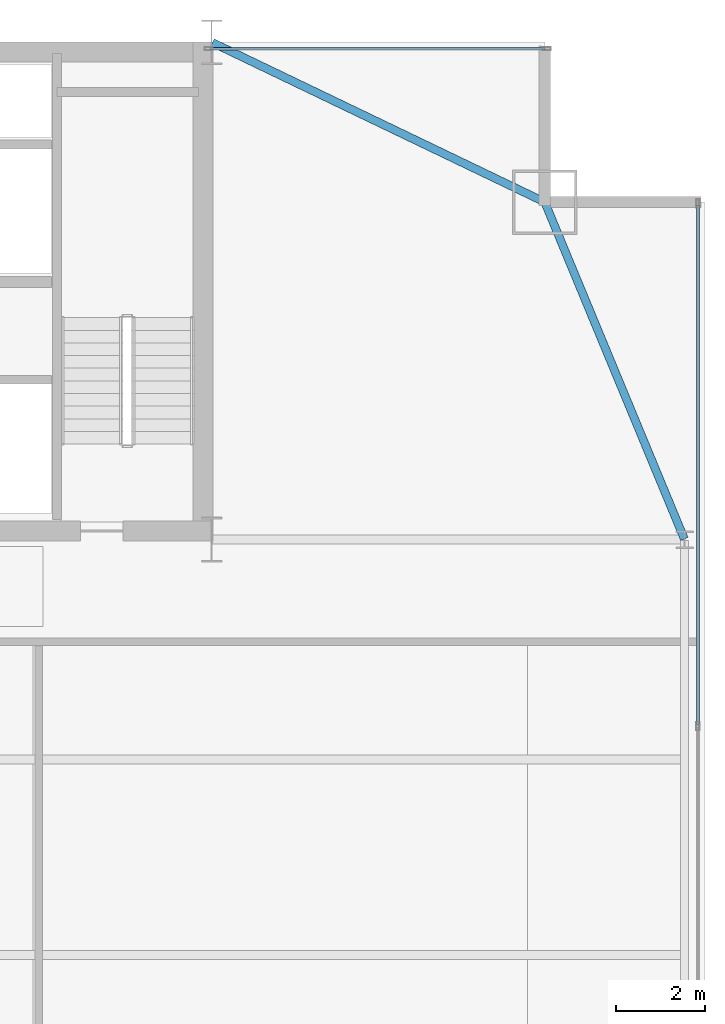
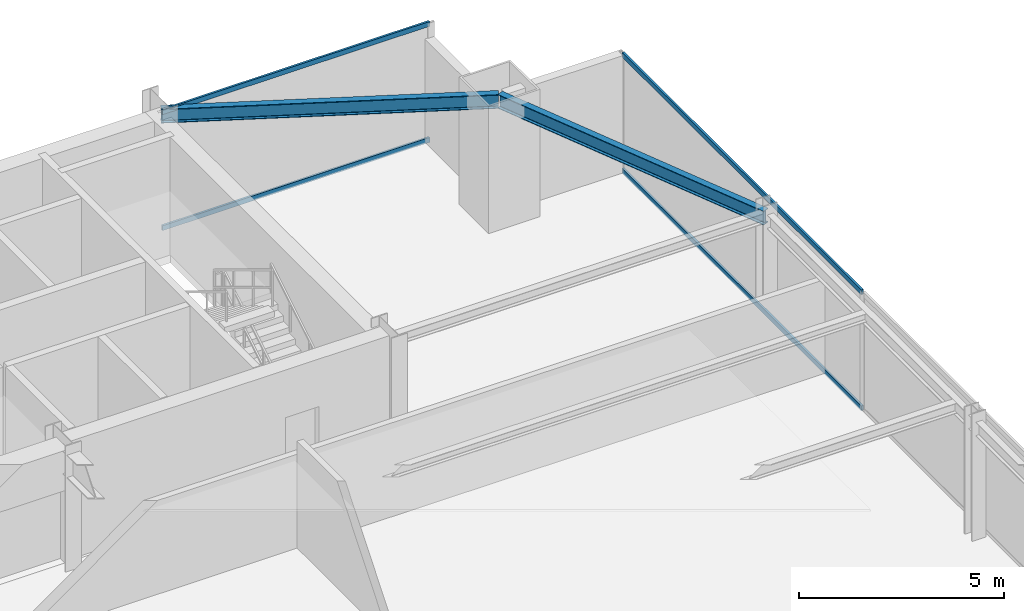
# One storey, part 25 of 31: 4 members, 2 beams, 2 elements without a shape of their own.
"""IFC4 building model written with IfcOpenShell, lengths in metres."""

from ifc_helpers import new_model, si_unit, direction, frame, origin, origin_2d, place, context, subcontext, project, spatial, hollow_rectangle, i_section, extrude, source, transform, mapped, material, layer, layer_set, material_profile, profile_set, type_object, type_shapes, element, aggregate, save


model = new_model("IFC4")

# Units and contexts
model_context = context("Model", 3, precision=1e-05, world=origin(), true_north=direction((0.0, 1.0)))
body_context = subcontext(model_context, "Body", "Model", "MODEL_VIEW")
ifc_project = project(units=[si_unit("LENGTHUNIT", "METRE"), si_unit("AREAUNIT", "SQUARE_METRE"), si_unit("VOLUMEUNIT", "CUBIC_METRE"), si_unit("PLANEANGLEUNIT", "RADIAN"), si_unit("MASSUNIT", "GRAM", prefix="KILO")], contexts=[model_context])

# Site, building, storey
site_placement = place(None, origin())
site = spatial("IfcSite", under=ifc_project, at=site_placement, CompositionType="ELEMENT")
building_placement = place(site_placement, origin())
building = spatial("IfcBuilding", under=site, at=building_placement, Name="Varnel Quay Broadcast Tower", CompositionType="ELEMENT")
storey_placement = place(building_placement, frame((0.0, 0.0, 94.60009765625)))
storey = spatial("IfcBuildingStorey", under=building, at=storey_placement, Name="L22", CompositionType="ELEMENT", Elevation=94.60009765625)

# Beams
ifc_material_1 = material(Name="Structural Steel CSA G40.21 350W", Category="steel")
ifc_material_profile_1 = material_profile(ifc_material_1, i_section(OverallWidth=0.180908203125, OverallDepth=0.4169921875, WebThickness=0.010986328125, FlangeThickness=0.018310546875, FilletRadius=0.011962890625, at=origin_2d()), Name="W410X85")
ifc_profile_set_1 = profile_set([ifc_material_profile_1], Name="Structural Steel CSA G40.21 350W")
beam_type = type_object("IfcBeamType", Name="Beam_W410X85", PredefinedType="SPANDREL", material=ifc_profile_set_1)
shared_shape_1 = source(origin(), body_context, "Body", "SweptSolid", [
    extrude(i_section(OverallWidth=0.180908203125, OverallDepth=0.4169921875, WebThickness=0.010986328125, FlangeThickness=0.018310546875, FilletRadius=0.011962890625, at=origin_2d()), origin(), (0.0, 0.0, 1.0), 8.186767578125),
])
beam_1_placement = place(storey_placement, frame((63.042236328125, 35.618408203125, 3.3115234375), z_axis=(-0.382874132092, 0.923800519038, 0.0), x_axis=(-0.923800519038, -0.382874132092, 0.0)))
element("IfcBeam", 1, at=beam_1_placement, inside=storey, type_object=beam_type, Name="L22 East Spandrel TC-E3-MC-NE", PredefinedType="SPANDREL", context=body_context, shape_type="MappedRepresentation", body=[
    mapped(shared_shape_1, transform((0.0, 0.0, 0.0), x_axis=(1.0, 0.0, 0.0), y_axis=(0.0, 1.0, 0.0), z_axis=(0.0, 0.0, 1.0), scale=1.0)),
])
shared_shape_2 = source(origin(), body_context, "Body", "SweptSolid", [
    extrude(i_section(OverallWidth=0.180908203125, OverallDepth=0.4169921875, WebThickness=0.010986328125, FlangeThickness=0.018310546875, FilletRadius=0.011962890625, at=origin_2d()), origin(), (0.0, 0.0, 1.0), 8.279296875),
])
type_shapes(beam_type, [shared_shape_1, shared_shape_2])
beam_2_placement = place(storey_placement, frame((52.41796875, 46.791259765625, 3.3115234375), z_axis=(0.901535021024, -0.432706142626, 0.0), x_axis=(0.432706142626, 0.901535021024, 0.0)))
element("IfcBeam", 2, at=beam_2_placement, inside=storey, type_object=beam_type, Name="L22 NE Tie Spandrel", PredefinedType="SPANDREL", context=body_context, shape_type="MappedRepresentation", body=[
    mapped(shared_shape_2, transform((0.0, 0.0, 0.0), x_axis=(1.0, 0.0, 0.0), y_axis=(0.0, 1.0, 0.0), z_axis=(0.0, 0.0, 1.0), scale=1.0)),
])

# Curtain wall, members
ifc_material_2 = material(Name="Anodised Bronze Aluminium 6063-T6", Category="aluminium")
ifc_layer = layer(ifc_material_2, 0.18994140625, Name="Anodised Bronze Aluminium 6063-T6")
ifc_layer_set = layer_set([ifc_layer], Name="Anodised Bronze Aluminium 6063-T6")
curtain_wall_type = type_object("IfcCurtainWallType", Name="CW_LowerTower", PredefinedType="NOTDEFINED", material=ifc_layer_set)
curtain_wall_1_placement = place(storey_placement, origin())
curtain_wall_1 = element("IfcCurtainWall", 3, at=curtain_wall_1_placement, inside=storey, type_object=curtain_wall_type, Name="L22 East Unitised Curtain Wall", PredefinedType="NOTDEFINED")
ifc_material_profile_2 = material_profile(ifc_material_2, hollow_rectangle(XDim=0.06005859375, YDim=0.14501953125, WallThickness=0.00341796875, at=origin_2d()), Name="ALU60X145X3.5")
ifc_profile_set_2 = profile_set([ifc_material_profile_2], Name="Anodised Bronze Aluminium 6063-T6")
member_type = type_object("IfcMemberType", Name="Tran_CWS-02", PredefinedType="USERDEFINED", material=ifc_profile_set_2)
shared_shape_3 = source(origin(), body_context, "Body", "SweptSolid", [
    extrude(hollow_rectangle(XDim=0.06005859375, YDim=0.14501953125, WallThickness=0.00341796875, at=origin_2d()), origin(), (0.0, 0.0, 1.0), 11.69482421875),
])
member_1_placement = place(storey_placement, frame((63.35009765625, 31.43505859375, 0.02978515625), z_axis=(0.0, 1.0, 0.0), x_axis=(-1.0, 0.0, 0.0)))
member_1 = element("IfcMember", 4, at=member_1_placement, type_object=member_type, Name="CWS-02 transom 3.1", ObjectType="TRANSOM", PredefinedType="USERDEFINED", context=body_context, shape_type="MappedRepresentation", body=[
    mapped(shared_shape_3, transform((0.0, 0.0, 0.0), x_axis=(1.0, 0.0, 0.0), y_axis=(0.0, 1.0, 0.0), z_axis=(0.0, 0.0, 1.0), scale=1.0)),
])
member_2_placement = place(storey_placement, frame((63.35009765625, 31.43505859375, 3.489990234375), z_axis=(0.0, 1.0, 0.0), x_axis=(-1.0, 0.0, 0.0)))
member_2 = element("IfcMember", 5, at=member_2_placement, type_object=member_type, Name="CWS-02 transom 3.2", ObjectType="TRANSOM", PredefinedType="USERDEFINED", context=body_context, shape_type="MappedRepresentation", body=[
    mapped(shared_shape_3, transform((0.0, 0.0, 0.0), x_axis=(1.0, 0.0, 0.0), y_axis=(0.0, 1.0, 0.0), z_axis=(0.0, 0.0, 1.0), scale=1.0)),
])
aggregate(curtain_wall_1, [member_1, member_2])

curtain_wall_2_placement = place(storey_placement, origin())
curtain_wall_2 = element("IfcCurtainWall", 6, at=curtain_wall_2_placement, inside=storey, type_object=curtain_wall_type, Name="L22 NE Wing Curtain Wall", PredefinedType="NOTDEFINED")
shared_shape_4 = source(origin(), body_context, "Body", "SweptSolid", [
    extrude(hollow_rectangle(XDim=0.06005859375, YDim=0.14501953125, WallThickness=0.00341796875, at=origin_2d()), origin(), (0.0, 0.0, 1.0), 7.539794921875),
])
type_shapes(member_type, [shared_shape_3, shared_shape_4])
member_3_placement = place(storey_placement, frame((52.3701171875, 46.64990234375, 0.02978515625), z_axis=(1.0, 0.0, 0.0), x_axis=(0.0, 1.0, 0.0)))
member_3 = element("IfcMember", 7, at=member_3_placement, type_object=member_type, Name="CWS-02 transom 1.1", ObjectType="TRANSOM", PredefinedType="USERDEFINED", context=body_context, shape_type="MappedRepresentation", body=[
    mapped(shared_shape_4, transform((0.0, 0.0, 0.0), x_axis=(1.0, 0.0, 0.0), y_axis=(0.0, 1.0, 0.0), z_axis=(0.0, 0.0, 1.0), scale=1.0)),
])
member_4_placement = place(storey_placement, frame((52.3701171875, 46.64990234375, 3.489990234375), z_axis=(1.0, 0.0, 0.0), x_axis=(0.0, 1.0, 0.0)))
member_4 = element("IfcMember", 8, at=member_4_placement, type_object=member_type, Name="CWS-02 transom 1.2", ObjectType="TRANSOM", PredefinedType="USERDEFINED", context=body_context, shape_type="MappedRepresentation", body=[
    mapped(shared_shape_4, transform((0.0, 0.0, 0.0), x_axis=(1.0, 0.0, 0.0), y_axis=(0.0, 1.0, 0.0), z_axis=(0.0, 0.0, 1.0), scale=1.0)),
])
aggregate(curtain_wall_2, [member_3, member_4])

save(model, "model.ifc")
